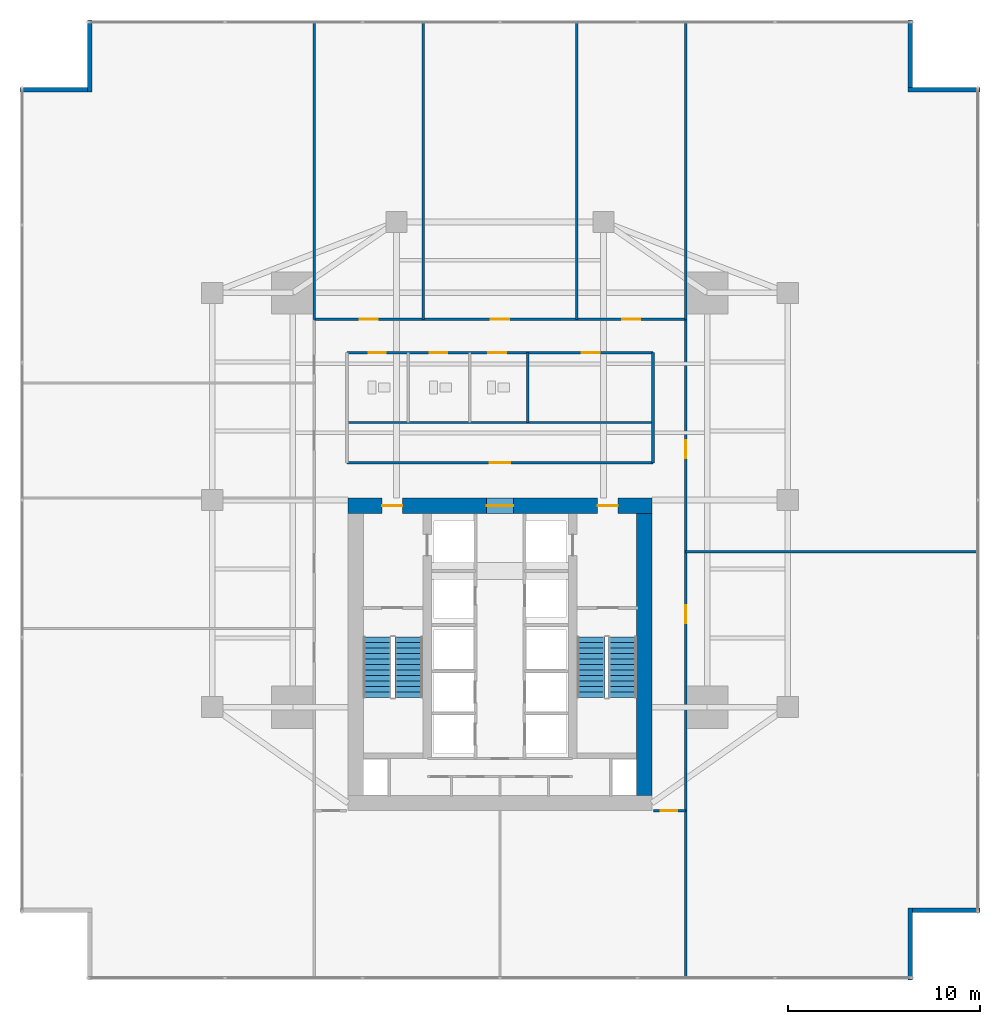
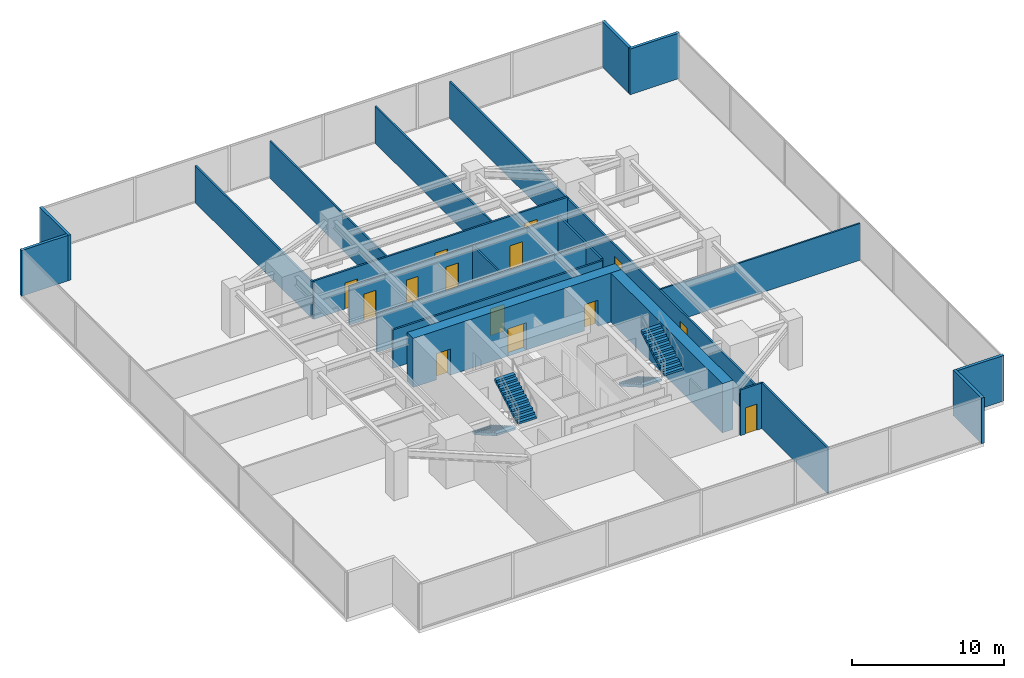
# One storey, part 26 of 28: 22 walls, 14 doors, 4 stair flights, 14 openings, 2 elements without a shape of their own.
"""IFC4 building model written with IfcOpenShell, lengths in metres."""

from ifc_helpers import new_model, si_unit, direction, frame, frame_2d, origin, place, context, subcontext, project, spatial, polyline, rectangle, outline, extrude, material, layer, layer_set, type_object, element, fill, aggregate, save


model = new_model("IFC4")

# Units and contexts
model_context = context("Model", 3, precision=1e-05, world=origin(), true_north=direction((0.0, 1.0)))
body_context = subcontext(model_context, "Body", "Model", "MODEL_VIEW")
ifc_project = project(units=[si_unit("LENGTHUNIT", "METRE"), si_unit("AREAUNIT", "SQUARE_METRE"), si_unit("VOLUMEUNIT", "CUBIC_METRE"), si_unit("PLANEANGLEUNIT", "RADIAN"), si_unit("MASSUNIT", "GRAM", prefix="KILO")], contexts=[model_context])

# Site, building, storey
site_placement = place(None, origin())
site = spatial("IfcSite", under=ifc_project, at=site_placement, CompositionType="ELEMENT")
building_placement = place(site_placement, origin())
building = spatial("IfcBuilding", under=site, at=building_placement, Name="Krantzveldt Concourse Tower", CompositionType="ELEMENT")
storey_placement = place(building_placement, frame((0.0, 0.0, 28.949951171875)))
storey = spatial("IfcBuildingStorey", under=building, at=storey_placement, Name="L06", CompositionType="ELEMENT", Elevation=28.949951171875)

# Walls
ifc_material_1 = material(Name="Anodised aluminium 6063-T6", Category="aluminium")
ifc_layer_1 = layer(ifc_material_1, 0.219970703125, Name="Anodised aluminium 6063-T6", Category="aluminium")
ifc_layer_set_1 = layer_set([ifc_layer_1], Name="Anodised aluminium 6063-T6 (WL-EXT-NOTCH220)")
wall_type_1 = type_object("IfcWallType", Name="WL-EXT-NOTCH220", PredefinedType="ELEMENTEDWALL", material=ifc_layer_set_1)
wall_1_placement = place(storey_placement, frame((14.5, 48.090087890625, 0.0), z_axis=(0.0, 0.0, 1.0), x_axis=(-1.0, 0.0, 0.0)))
element("IfcWall", 1, at=wall_1_placement, inside=storey, type_object=wall_type_1, Name="EW-L06-NCH00", PredefinedType="ELEMENTEDWALL", context=body_context, shape_type="SweptSolid", body=[
    extrude(rectangle(XDim=3.52490234375, YDim=0.219970703125, at=frame_2d((1.762451171875, 0.0))), origin(), (0.0, 0.0, 1.0), 3.670166015625),
])
wall_2_placement = place(storey_placement, frame((57.389892578125, 1.675048828125, 0.0), z_axis=(0.0, 0.0, 1.0), x_axis=(0.0, 1.0, 0.0)))
element("IfcWall", 2, at=wall_2_placement, inside=storey, type_object=wall_type_1, Name="EW-L06-NCH05", PredefinedType="ELEMENTEDWALL", context=body_context, shape_type="SweptSolid", body=[
    extrude(rectangle(XDim=3.744873046875, YDim=0.219970703125, at=frame_2d((1.87255859375, 0.0))), origin(), (0.0, 0.0, 1.0), 3.670166015625),
])
wall_3_placement = place(storey_placement, frame((57.5, 5.31005859375, 0.0), z_axis=(0.0, 0.0, 1.0), x_axis=(1.0, 0.0, 0.0)))
element("IfcWall", 3, at=wall_3_placement, inside=storey, type_object=wall_type_1, Name="EW-L06-NCH06", PredefinedType="ELEMENTEDWALL", context=body_context, shape_type="SweptSolid", body=[
    extrude(rectangle(XDim=3.52490234375, YDim=0.219970703125, at=frame_2d((1.762451171875, 0.0))), origin(), (0.0, 0.0, 1.0), 3.670166015625),
])
wall_4_placement = place(storey_placement, frame((61.02490234375, 48.090087890625, 0.0), z_axis=(0.0, 0.0, 1.0), x_axis=(-1.0, 0.0, 0.0)))
element("IfcWall", 4, at=wall_4_placement, inside=storey, type_object=wall_type_1, Name="EW-L06-NCH08", PredefinedType="ELEMENTEDWALL", context=body_context, shape_type="SweptSolid", body=[
    extrude(rectangle(XDim=3.744873046875, YDim=0.219970703125, at=frame_2d((1.87255859375, 0.0))), origin(), (0.0, 0.0, 1.0), 3.670166015625),
])
wall_5_placement = place(storey_placement, frame((57.389892578125, 48.199951171875, 0.0), z_axis=(0.0, 0.0, 1.0), x_axis=(0.0, 1.0, 0.0)))
element("IfcWall", 5, at=wall_5_placement, inside=storey, type_object=wall_type_1, Name="EW-L06-NCH09", PredefinedType="ELEMENTEDWALL", context=body_context, shape_type="SweptSolid", body=[
    extrude(rectangle(XDim=3.525146484375, YDim=0.219970703125, at=frame_2d((1.7626953125, 0.0))), origin(), (0.0, 0.0, 1.0), 3.670166015625),
])
wall_6_placement = place(storey_placement, frame((14.610107421875, 51.72509765625, 0.0), z_axis=(0.0, 0.0, 1.0), x_axis=(0.0, -1.0, 0.0)))
element("IfcWall", 6, at=wall_6_placement, inside=storey, type_object=wall_type_1, Name="EW-L06-NCH11", PredefinedType="ELEMENTEDWALL", context=body_context, shape_type="SweptSolid", body=[
    extrude(rectangle(XDim=3.7451171875, YDim=0.219970703125, at=frame_2d((1.87255859375, 0.0))), origin(), (0.0, 0.0, 1.0), 3.670166015625),
])
ifc_material_2 = material(Name="Fire-rated gypsum plasterboard on steel stud", Category="steel")
ifc_layer_2 = layer(ifc_material_2, 0.1201171875, Name="Fire-rated gypsum plasterboard on steel stud", Category="steel")
ifc_layer_set_2 = layer_set([ifc_layer_2], Name="Fire-rated gypsum plasterboard on steel stud (WL-PART-120)")
wall_type_2 = type_object("IfcWallType", Name="WL-PART-120", PredefinedType="PARTITIONING", material=ifc_layer_set_2)
wall_7_placement = place(storey_placement, frame((28.02001953125, 30.739990234375, 0.0), z_axis=(0.0, 0.0, 1.0), x_axis=(1.0, 0.0, 0.0)))
element("IfcWall", 7, at=wall_7_placement, inside=storey, type_object=wall_type_2, Name="WP-L06-ISLM", PredefinedType="PARTITIONING", context=body_context, shape_type="SweptSolid", body=[
    extrude(rectangle(XDim=15.9599609375, YDim=0.1201171875, at=frame_2d((7.97998046875, 0.0))), origin(), (0.0, 0.0, 1.0), 3.080078125),
])
wall_8_placement = place(storey_placement, frame((37.449951171875, 30.739990234375, 0.0), z_axis=(0.0, 0.0, 1.0), x_axis=(0.0, 1.0, 0.0)))
element("IfcWall", 8, at=wall_8_placement, inside=storey, type_object=wall_type_2, Name="WP-L06-WCD3", PredefinedType="PARTITIONING", context=body_context, shape_type="SweptSolid", body=[
    extrude(rectangle(XDim=3.639892578125, YDim=0.1201171875, at=frame_2d((1.81982421875, 0.0))), origin(), (0.0, 0.0, 1.0), 3.1201171875),
])
for number, where, z_axis, x_axis, name in (
    (9, (32.0, 36.1201171875, 0.0), (0.0, 0.0, 1.0), (0.0, 1.0, 0.0), "WP-L06-ND1"),
    (10, (40.0, 36.1201171875, 0.0), (0.0, 0.0, 1.0), (0.0, 1.0, 0.0), "WP-L06-ND2"),
):
    element("IfcWall", number, at=place(storey_placement, frame(where, z_axis=z_axis, x_axis=x_axis)), inside=storey, type_object=wall_type_2, Name=name, PredefinedType="PARTITIONING", context=body_context, shape_type="SweptSolid", body=[
        extrude(rectangle(XDim=15.489990234375, YDim=0.1201171875, at=frame_2d((7.7451171875, 0.0))), origin(), (0.0, 0.0, 1.0), 2.969970703125),
    ])
wall_9_placement = place(storey_placement, frame((45.679931640625, 24.0, 0.0), z_axis=(0.0, 0.0, 1.0), x_axis=(1.0, 0.0, 0.0)))
element("IfcWall", 11, at=wall_9_placement, inside=storey, type_object=wall_type_2, Name="WP-L06-ED1", PredefinedType="PARTITIONING", context=body_context, shape_type="SweptSolid", body=[
    extrude(rectangle(XDim=15.22998046875, YDim=0.1201171875, at=frame_2d((7.614990234375, 0.0))), origin(), (0.0, 0.0, 1.0), 2.969970703125),
])

# Wall, opening, door
ifc_layer_3 = layer(ifc_material_2, 0.139892578125, Name="Fire-rated gypsum plasterboard on steel stud", Category="steel")
ifc_layer_set_3 = layer_set([ifc_layer_3], Name="Fire-rated gypsum plasterboard on steel stud (WL-PART-140)")
wall_type_3 = type_object("IfcWallType", Name="WL-PART-140", PredefinedType="PARTITIONING", material=ifc_layer_set_3)
wall_10_placement = place(storey_placement, frame((28.02001953125, 28.639892578125, 0.0), z_axis=(0.0, 0.0, 1.0), x_axis=(1.0, 0.0, 0.0)))
wall_10 = element("IfcWall", 12, at=wall_10_placement, inside=storey, type_object=wall_type_3, Name="WP-L06-ISLS", PredefinedType="PARTITIONING", context=body_context, shape_type="SweptSolid", body=[
    extrude(rectangle(XDim=15.9599609375, YDim=0.139892578125, at=frame_2d((7.97998046875, 0.0))), origin(), (0.0, 0.0, 1.0), 3.080078125),
])
opening_1_placement = place(wall_10_placement, frame((7.455078125, 0.0, 0.0)))
opening_1 = element("IfcOpeningElement", 13, at=opening_1_placement, cuts=wall_10, Name="Opening D-IN105", PredefinedType="OPENING", context=body_context, shape_type="SweptSolid", body=[
    extrude(rectangle(XDim=1.050048828125, YDim=2.14990234375, at=frame_2d((0.52490234375, 1.074951171875))), frame((0.0, 0.080078125, 0.0), z_axis=(0.0, -1.0, 0.0), x_axis=(1.0, 0.0, 0.0)), (0.0, 0.0, 1.0), 0.159912109375),
])
ifc_material_3 = material(Name="Hardwood timber", Category="wood")
door_type_1 = type_object("IfcDoorType", Name="DR-INT-1050", OperationType="SINGLE_SWING_LEFT", PredefinedType="DOOR", material=ifc_material_3)
door_1_placement = place(opening_1_placement, origin())
door_1 = element("IfcDoor", 14, at=door_1_placement, inside=storey, type_object=door_type_1, Name="DR-L06-MIDB", OperationType="SINGLE_SWING_LEFT", OverallHeight=2.14990234375, OverallWidth=1.050048828125, PredefinedType="DOOR", context=body_context, shape_type="SweptSolid", body=[
    extrude(rectangle(XDim=1.050048828125, YDim=2.14990234375, at=frame_2d((0.52490234375, 1.074951171875))), frame((0.0, 0.02490234375, 0.0), z_axis=(0.0, -1.0, 0.0), x_axis=(1.0, 0.0, 0.0)), (0.0, 0.0, 1.0), 0.050048828125),
])
fill(opening_1, door_1)

# Wall, openings, doors
wall_11_placement = place(storey_placement, frame((28.02001953125, 34.3798828125, 0.0), z_axis=(0.0, 0.0, 1.0), x_axis=(1.0, 0.0, 0.0)))
wall_11 = element("IfcWall", 15, at=wall_11_placement, inside=storey, type_object=wall_type_3, Name="WP-L06-ISLN", PredefinedType="PARTITIONING", context=body_context, shape_type="SweptSolid", body=[
    extrude(rectangle(XDim=15.9599609375, YDim=0.139892578125, at=frame_2d((7.97998046875, 0.0))), origin(), (0.0, 0.0, 1.0), 3.080078125),
])
opening_2_placement = place(wall_11_placement, frame((1.1298828125, 0.0, 0.0)))
opening_2 = element("IfcOpeningElement", 16, at=opening_2_placement, cuts=wall_11, Name="Opening D-IN090", PredefinedType="OPENING", context=body_context, shape_type="SweptSolid", body=[
    extrude(rectangle(XDim=0.89990234375, YDim=2.10009765625, at=frame_2d((0.449951171875, 1.050048828125))), frame((0.0, 0.080078125, 0.0), z_axis=(0.0, -1.0, 0.0), x_axis=(1.0, 0.0, 0.0)), (0.0, 0.0, 1.0), 0.159912109375),
])
opening_3_placement = place(wall_11_placement, frame((4.330078125, 0.0, 0.0)))
opening_3 = element("IfcOpeningElement", 17, at=opening_3_placement, cuts=wall_11, Name="Opening D-IN090", PredefinedType="OPENING", context=body_context, shape_type="SweptSolid", body=[
    extrude(rectangle(XDim=0.89990234375, YDim=2.10009765625, at=frame_2d((0.449951171875, 1.050048828125))), frame((0.0, 0.080078125, 0.0), z_axis=(0.0, -1.0, 0.0), x_axis=(1.0, 0.0, 0.0)), (0.0, 0.0, 1.0), 0.159912109375),
])
opening_4_placement = place(wall_11_placement, frame((7.35498046875, 0.0, 0.0)))
opening_4 = element("IfcOpeningElement", 18, at=opening_4_placement, cuts=wall_11, Name="Opening D-IN095", PredefinedType="OPENING", context=body_context, shape_type="SweptSolid", body=[
    extrude(rectangle(XDim=0.949951171875, YDim=2.10009765625, at=frame_2d((0.47509765625, 1.050048828125))), frame((0.0, 0.080078125, 0.0), z_axis=(0.0, -1.0, 0.0), x_axis=(1.0, 0.0, 0.0)), (0.0, 0.0, 1.0), 0.159912109375),
])
opening_5_placement = place(wall_11_placement, frame((12.22998046875, 0.0, 0.0)))
opening_5 = element("IfcOpeningElement", 19, at=opening_5_placement, cuts=wall_11, Name="Opening D-IN095", PredefinedType="OPENING", context=body_context, shape_type="SweptSolid", body=[
    extrude(rectangle(XDim=0.949951171875, YDim=2.10009765625, at=frame_2d((0.47509765625, 1.050048828125))), frame((0.0, 0.080078125, 0.0), z_axis=(0.0, -1.0, 0.0), x_axis=(1.0, 0.0, 0.0)), (0.0, 0.0, 1.0), 0.159912109375),
])
door_type_2 = type_object("IfcDoorType", Name="DR-INT-900", OperationType="SINGLE_SWING_LEFT", PredefinedType="DOOR", material=ifc_material_3)
door_2_placement = place(opening_2_placement, origin())
door_2 = element("IfcDoor", 20, at=door_2_placement, inside=storey, type_object=door_type_2, Name="DR-L06-WCM", OperationType="SINGLE_SWING_LEFT", OverallHeight=2.10009765625, OverallWidth=0.89990234375, PredefinedType="DOOR", context=body_context, shape_type="SweptSolid", body=[
    extrude(rectangle(XDim=0.89990234375, YDim=2.10009765625, at=frame_2d((0.449951171875, 1.050048828125))), frame((0.0, 0.02490234375, 0.0), z_axis=(0.0, -1.0, 0.0), x_axis=(1.0, 0.0, 0.0)), (0.0, 0.0, 1.0), 0.050048828125),
])
fill(opening_2, door_2)
door_3_placement = place(opening_3_placement, origin())
door_3 = element("IfcDoor", 21, at=door_3_placement, inside=storey, type_object=door_type_2, Name="DR-L06-WCF", OperationType="SINGLE_SWING_RIGHT", OverallHeight=2.10009765625, OverallWidth=0.89990234375, PredefinedType="DOOR", context=body_context, shape_type="SweptSolid", body=[
    extrude(rectangle(XDim=0.89990234375, YDim=2.10009765625, at=frame_2d((0.449951171875, 1.050048828125))), frame((0.0, 0.02490234375, 0.0), z_axis=(0.0, -1.0, 0.0), x_axis=(1.0, 0.0, 0.0)), (0.0, 0.0, 1.0), 0.050048828125),
])
fill(opening_3, door_3)
door_type_3 = type_object("IfcDoorType", Name="DR-INT-950", OperationType="SINGLE_SWING_LEFT", PredefinedType="DOOR", material=ifc_material_3)
door_4_placement = place(opening_4_placement, origin())
door_4 = element("IfcDoor", 22, at=door_4_placement, inside=storey, type_object=door_type_3, Name="DR-L06-WCA", OperationType="SINGLE_SWING_LEFT", OverallHeight=2.10009765625, OverallWidth=0.949951171875, PredefinedType="DOOR", context=body_context, shape_type="SweptSolid", body=[
    extrude(rectangle(XDim=0.949951171875, YDim=2.10009765625, at=frame_2d((0.47509765625, 1.050048828125))), frame((0.0, 0.02490234375, 0.0), z_axis=(0.0, -1.0, 0.0), x_axis=(1.0, 0.0, 0.0)), (0.0, 0.0, 1.0), 0.050048828125),
])
fill(opening_4, door_4)
door_5_placement = place(opening_5_placement, origin())
door_5 = element("IfcDoor", 23, at=door_5_placement, inside=storey, type_object=door_type_3, Name="DR-L06-PNT", OperationType="SINGLE_SWING_RIGHT", OverallHeight=2.10009765625, OverallWidth=0.949951171875, PredefinedType="DOOR", context=body_context, shape_type="SweptSolid", body=[
    extrude(rectangle(XDim=0.949951171875, YDim=2.10009765625, at=frame_2d((0.47509765625, 1.050048828125))), frame((0.0, 0.02490234375, 0.0), z_axis=(0.0, -1.0, 0.0), x_axis=(1.0, 0.0, 0.0)), (0.0, 0.0, 1.0), 0.050048828125),
])
fill(opening_5, door_5)

# Wall
wall_12_placement = place(storey_placement, frame((43.97998046875, 28.639892578125, 0.0), z_axis=(0.0, 0.0, 1.0), x_axis=(0.0, 1.0, 0.0)))
element("IfcWall", 24, at=wall_12_placement, inside=storey, type_object=wall_type_3, Name="WP-L06-ISLE", PredefinedType="PARTITIONING", context=body_context, shape_type="SweptSolid", body=[
    extrude(rectangle(XDim=5.739990234375, YDim=0.139892578125, at=frame_2d((2.8701171875, 0.0))), origin(), (0.0, 0.0, 1.0), 3.219970703125),
])

# Wall, openings, doors
wall_13_placement = place(storey_placement, frame((26.320068359375, 36.1201171875, 0.0), z_axis=(0.0, 0.0, 1.0), x_axis=(1.0, 0.0, 0.0)))
wall_13 = element("IfcWall", 25, at=wall_13_placement, inside=storey, type_object=wall_type_3, Name="WP-L06-CTOP", PredefinedType="PARTITIONING", context=body_context, shape_type="SweptSolid", body=[
    extrude(rectangle(XDim=19.35986328125, YDim=0.139892578125, at=frame_2d((9.679931640625, 0.0))), origin(), (0.0, 0.0, 1.0), 3.080078125),
])
opening_6_placement = place(wall_13_placement, frame((2.364990234375, 0.0, 0.0)))
opening_6 = element("IfcOpeningElement", 26, at=opening_6_placement, cuts=wall_13, Name="Opening D-IN095", PredefinedType="OPENING", context=body_context, shape_type="SweptSolid", body=[
    extrude(rectangle(XDim=0.949951171875, YDim=2.10009765625, at=frame_2d((0.47509765625, 1.050048828125))), frame((0.0, 0.080078125, 0.0), z_axis=(0.0, -1.0, 0.0), x_axis=(1.0, 0.0, 0.0)), (0.0, 0.0, 1.0), 0.159912109375),
])
opening_7_placement = place(wall_13_placement, frame((9.205078125, 0.0, 0.0)))
opening_7 = element("IfcOpeningElement", 27, at=opening_7_placement, cuts=wall_13, Name="Opening D-IN095", PredefinedType="OPENING", context=body_context, shape_type="SweptSolid", body=[
    extrude(rectangle(XDim=0.949951171875, YDim=2.10009765625, at=frame_2d((0.47509765625, 1.050048828125))), frame((0.0, 0.080078125, 0.0), z_axis=(0.0, -1.0, 0.0), x_axis=(1.0, 0.0, 0.0)), (0.0, 0.0, 1.0), 0.159912109375),
])
opening_8_placement = place(wall_13_placement, frame((16.044921875, 0.0, 0.0)))
opening_8 = element("IfcOpeningElement", 28, at=opening_8_placement, cuts=wall_13, Name="Opening D-IN095", PredefinedType="OPENING", context=body_context, shape_type="SweptSolid", body=[
    extrude(rectangle(XDim=0.949951171875, YDim=2.10009765625, at=frame_2d((0.47509765625, 1.050048828125))), frame((0.0, 0.080078125, 0.0), z_axis=(0.0, -1.0, 0.0), x_axis=(1.0, 0.0, 0.0)), (0.0, 0.0, 1.0), 0.159912109375),
])
door_6_placement = place(opening_6_placement, origin())
door_6 = element("IfcDoor", 29, at=door_6_placement, inside=storey, type_object=door_type_3, Name="DR-L06-NR1", OperationType="SINGLE_SWING_LEFT", OverallHeight=2.10009765625, OverallWidth=0.949951171875, PredefinedType="DOOR", context=body_context, shape_type="SweptSolid", body=[
    extrude(rectangle(XDim=0.949951171875, YDim=2.10009765625, at=frame_2d((0.47509765625, 1.050048828125))), frame((0.0, 0.02490234375, 0.0), z_axis=(0.0, -1.0, 0.0), x_axis=(1.0, 0.0, 0.0)), (0.0, 0.0, 1.0), 0.050048828125),
])
fill(opening_6, door_6)
door_7_placement = place(opening_7_placement, origin())
door_7 = element("IfcDoor", 30, at=door_7_placement, inside=storey, type_object=door_type_3, Name="DR-L06-NR2", OperationType="SINGLE_SWING_LEFT", OverallHeight=2.10009765625, OverallWidth=0.949951171875, PredefinedType="DOOR", context=body_context, shape_type="SweptSolid", body=[
    extrude(rectangle(XDim=0.949951171875, YDim=2.10009765625, at=frame_2d((0.47509765625, 1.050048828125))), frame((0.0, 0.02490234375, 0.0), z_axis=(0.0, -1.0, 0.0), x_axis=(1.0, 0.0, 0.0)), (0.0, 0.0, 1.0), 0.050048828125),
])
fill(opening_7, door_7)
door_8_placement = place(opening_8_placement, origin())
door_8 = element("IfcDoor", 31, at=door_8_placement, inside=storey, type_object=door_type_3, Name="DR-L06-NR3", OperationType="SINGLE_SWING_LEFT", OverallHeight=2.10009765625, OverallWidth=0.949951171875, PredefinedType="DOOR", context=body_context, shape_type="SweptSolid", body=[
    extrude(rectangle(XDim=0.949951171875, YDim=2.10009765625, at=frame_2d((0.47509765625, 1.050048828125))), frame((0.0, 0.02490234375, 0.0), z_axis=(0.0, -1.0, 0.0), x_axis=(1.0, 0.0, 0.0)), (0.0, 0.0, 1.0), 0.050048828125),
])
fill(opening_8, door_8)

wall_14_placement = place(storey_placement, frame((45.679931640625, 10.5, 0.0), z_axis=(0.0, 0.0, 1.0), x_axis=(0.0, 1.0, 0.0)))
wall_14 = element("IfcWall", 32, at=wall_14_placement, inside=storey, type_object=wall_type_3, Name="WP-L06-CEAST", PredefinedType="PARTITIONING", context=body_context, shape_type="SweptSolid", body=[
    extrude(rectangle(XDim=25.6201171875, YDim=0.139892578125, at=frame_2d((12.81005859375, 0.0))), origin(), (0.0, 0.0, 1.0), 2.969970703125),
])
opening_9_placement = place(wall_14_placement, frame((9.77490234375, 0.0, 0.0)))
opening_9 = element("IfcOpeningElement", 33, at=opening_9_placement, cuts=wall_14, Name="Opening D-IN095", PredefinedType="OPENING", context=body_context, shape_type="SweptSolid", body=[
    extrude(rectangle(XDim=0.949951171875, YDim=2.10009765625, at=frame_2d((0.47509765625, 1.050048828125))), frame((0.0, 0.080078125, 0.0), z_axis=(0.0, -1.0, 0.0), x_axis=(1.0, 0.0, 0.0)), (0.0, 0.0, 1.0), 0.159912109375),
])
opening_10_placement = place(wall_14_placement, frame((18.375, 0.0, 0.0)))
opening_10 = element("IfcOpeningElement", 34, at=opening_10_placement, cuts=wall_14, Name="Opening D-IN095", PredefinedType="OPENING", context=body_context, shape_type="SweptSolid", body=[
    extrude(rectangle(XDim=0.949951171875, YDim=2.10009765625, at=frame_2d((0.47509765625, 1.050048828125))), frame((0.0, 0.080078125, 0.0), z_axis=(0.0, -1.0, 0.0), x_axis=(1.0, 0.0, 0.0)), (0.0, 0.0, 1.0), 0.159912109375),
])
door_9_placement = place(opening_9_placement, origin())
door_9 = element("IfcDoor", 35, at=door_9_placement, inside=storey, type_object=door_type_3, Name="DR-L06-ER1", OperationType="SINGLE_SWING_LEFT", OverallHeight=2.10009765625, OverallWidth=0.949951171875, PredefinedType="DOOR", context=body_context, shape_type="SweptSolid", body=[
    extrude(rectangle(XDim=0.949951171875, YDim=2.10009765625, at=frame_2d((0.47509765625, 1.050048828125))), frame((0.0, 0.02490234375, 0.0), z_axis=(0.0, -1.0, 0.0), x_axis=(1.0, 0.0, 0.0)), (0.0, 0.0, 1.0), 0.050048828125),
])
fill(opening_9, door_9)
door_10_placement = place(opening_10_placement, origin())
door_10 = element("IfcDoor", 36, at=door_10_placement, inside=storey, type_object=door_type_3, Name="DR-L06-ER2", OperationType="SINGLE_SWING_LEFT", OverallHeight=2.10009765625, OverallWidth=0.949951171875, PredefinedType="DOOR", context=body_context, shape_type="SweptSolid", body=[
    extrude(rectangle(XDim=0.949951171875, YDim=2.10009765625, at=frame_2d((0.47509765625, 1.050048828125))), frame((0.0, 0.02490234375, 0.0), z_axis=(0.0, -1.0, 0.0), x_axis=(1.0, 0.0, 0.0)), (0.0, 0.0, 1.0), 0.050048828125),
])
fill(opening_10, door_10)

# Wall, opening, door
wall_15_placement = place(storey_placement, frame((44.0, 10.5, 0.0), z_axis=(0.0, 0.0, 1.0), x_axis=(1.0, 0.0, 0.0)))
wall_15 = element("IfcWall", 37, at=wall_15_placement, inside=storey, type_object=wall_type_3, Name="WP-L06-CEBOT", PredefinedType="PARTITIONING", context=body_context, shape_type="SweptSolid", body=[
    extrude(rectangle(XDim=1.679931640625, YDim=0.139892578125, at=frame_2d((0.83984375, 0.0))), origin(), (0.0, 0.0, 1.0), 3.670166015625),
])
opening_11_placement = place(wall_15_placement, frame((0.385009765625, 0.0, 0.0)))
opening_11 = element("IfcOpeningElement", 38, at=opening_11_placement, cuts=wall_15, Name="Opening D-IN085", PredefinedType="OPENING", context=body_context, shape_type="SweptSolid", body=[
    extrude(rectangle(XDim=0.85009765625, YDim=2.10009765625, at=frame_2d((0.425048828125, 1.050048828125))), frame((0.0, 0.080078125, 0.0), z_axis=(0.0, -1.0, 0.0), x_axis=(1.0, 0.0, 0.0)), (0.0, 0.0, 1.0), 0.159912109375),
])
door_type_4 = type_object("IfcDoorType", Name="DR-INT-850", OperationType="SINGLE_SWING_LEFT", PredefinedType="DOOR", material=ifc_material_3)
door_11_placement = place(opening_11_placement, origin())
door_11 = element("IfcDoor", 39, at=door_11_placement, inside=storey, type_object=door_type_4, Name="DR-L06-SR2", OperationType="SINGLE_SWING_LEFT", OverallHeight=2.10009765625, OverallWidth=0.85009765625, PredefinedType="DOOR", context=body_context, shape_type="SweptSolid", body=[
    extrude(rectangle(XDim=0.85009765625, YDim=2.10009765625, at=frame_2d((0.425048828125, 1.050048828125))), frame((0.0, 0.02490234375, 0.0), z_axis=(0.0, -1.0, 0.0), x_axis=(1.0, 0.0, 0.0)), (0.0, 0.0, 1.0), 0.050048828125),
])
fill(opening_11, door_11)

# Walls
for number, where, z_axis, x_axis, name in (
    (40, (26.320068359375, 36.1201171875, 0.0), (0.0, 0.0, 1.0), (0.0, 1.0, 0.0), "WP-L06-NWL"),
    (41, (45.679931640625, 36.1201171875, 0.0), (0.0, 0.0, 1.0), (0.0, 1.0, 0.0), "WP-L06-NER"),
):
    element("IfcWall", number, at=place(storey_placement, frame(where, z_axis=z_axis, x_axis=x_axis)), inside=storey, type_object=wall_type_3, Name=name, PredefinedType="PARTITIONING", context=body_context, shape_type="SweptSolid", body=[
        extrude(rectangle(XDim=15.489990234375, YDim=0.139892578125, at=frame_2d((7.7451171875, 0.0))), origin(), (0.0, 0.0, 1.0), 2.969970703125),
    ])
wall_16_placement = place(storey_placement, frame((45.679931640625, 1.7900390625, 0.0), z_axis=(0.0, 0.0, 1.0), x_axis=(0.0, 1.0, 0.0)))
element("IfcWall", 42, at=wall_16_placement, inside=storey, type_object=wall_type_3, Name="WP-L06-SER", PredefinedType="PARTITIONING", context=body_context, shape_type="SweptSolid", body=[
    extrude(rectangle(XDim=8.7099609375, YDim=0.139892578125, at=frame_2d((4.35498046875, 0.0))), origin(), (0.0, 0.0, 1.0), 3.670166015625),
])

# Wall, openings, doors
ifc_material_4 = material(Name="Concrete C60/75", Category="concrete")
ifc_layer_4 = layer(ifc_material_4, 0.800048828125, Name="Concrete C60/75", Category="concrete")
ifc_layer_set_4 = layer_set([ifc_layer_4], Name="Concrete C60/75 (WL-SHEAR-800)")
wall_type_4 = type_object("IfcWallType", Name="WL-SHEAR-800", PredefinedType="SHEAR", material=ifc_layer_set_4)
wall_17_placement = place(storey_placement, frame((28.080078125, 26.39990234375, 0.0), z_axis=(0.0, 0.0, 1.0), x_axis=(1.0, 0.0, 0.0)))
wall_17 = element("IfcWall", 43, at=wall_17_placement, inside=storey, type_object=wall_type_4, Name="CW-L06-N", PredefinedType="SHEAR", context=body_context, shape_type="SweptSolid", body=[
    extrude(rectangle(XDim=15.83984375, YDim=0.800048828125, at=frame_2d((7.919921875, 0.0))), origin(), (0.0, 0.0, 1.0), 3.949951171875),
])
opening_12_placement = place(wall_17_placement, frame((7.219970703125, 0.0, 0.0)))
opening_12 = element("IfcOpeningElement", 44, at=opening_12_placement, cuts=wall_17, Name="Opening D-DB140", PredefinedType="OPENING", context=body_context, shape_type="SweptSolid", body=[
    extrude(rectangle(XDim=1.39990234375, YDim=2.199951171875, at=frame_2d((0.699951171875, 1.10009765625))), frame((0.0, 0.41015625, 0.0), z_axis=(0.0, -1.0, 0.0), x_axis=(1.0, 0.0, 0.0)), (0.0, 0.0, 1.0), 0.820068359375),
])
opening_13_placement = place(wall_17_placement, frame((1.77490234375, 0.0, 0.0)))
opening_13 = element("IfcOpeningElement", 45, at=opening_13_placement, cuts=wall_17, Name="Opening D-FD105", PredefinedType="OPENING", context=body_context, shape_type="SweptSolid", body=[
    extrude(rectangle(XDim=1.050048828125, YDim=2.10009765625, at=frame_2d((0.52490234375, 1.050048828125))), frame((0.0, 0.41015625, 0.0), z_axis=(0.0, -1.0, 0.0), x_axis=(1.0, 0.0, 0.0)), (0.0, 0.0, 1.0), 0.820068359375),
])
opening_14_placement = place(wall_17_placement, frame((13.014892578125, 0.0, 0.0)))
opening_14 = element("IfcOpeningElement", 46, at=opening_14_placement, cuts=wall_17, Name="Opening D-FD105", PredefinedType="OPENING", context=body_context, shape_type="SweptSolid", body=[
    extrude(rectangle(XDim=1.050048828125, YDim=2.10009765625, at=frame_2d((0.52490234375, 1.050048828125))), frame((0.0, 0.41015625, 0.0), z_axis=(0.0, -1.0, 0.0), x_axis=(1.0, 0.0, 0.0)), (0.0, 0.0, 1.0), 0.820068359375),
])
door_type_5 = type_object("IfcDoorType", Name="DR-DBL-1400", OperationType="DOUBLE_DOOR_SINGLE_SWING", PredefinedType="DOOR", material=ifc_material_1)
door_12_placement = place(opening_12_placement, origin())
door_12 = element("IfcDoor", 47, at=door_12_placement, inside=storey, type_object=door_type_5, Name="DR-L06-LLB", OperationType="DOUBLE_DOOR_SINGLE_SWING", OverallHeight=2.199951171875, OverallWidth=1.39990234375, PredefinedType="DOOR", context=body_context, shape_type="SweptSolid", body=[
    extrude(rectangle(XDim=1.39990234375, YDim=2.199951171875, at=frame_2d((0.699951171875, 1.10009765625))), frame((0.0, 0.02490234375, 0.0), z_axis=(0.0, -1.0, 0.0), x_axis=(1.0, 0.0, 0.0)), (0.0, 0.0, 1.0), 0.050048828125),
])
fill(opening_12, door_12)
ifc_material_5 = material(Name="Galvanised steel", Category="steel")
door_type_6 = type_object("IfcDoorType", Name="DR-FD120-1050", OperationType="SINGLE_SWING_LEFT", PredefinedType="DOOR", material=ifc_material_5)
door_13_placement = place(opening_13_placement, origin())
door_13 = element("IfcDoor", 48, at=door_13_placement, inside=storey, type_object=door_type_6, Name="DR-L06-FFL1", OperationType="SINGLE_SWING_LEFT", OverallHeight=2.10009765625, OverallWidth=1.050048828125, PredefinedType="DOOR", context=body_context, shape_type="SweptSolid", body=[
    extrude(rectangle(XDim=1.050048828125, YDim=2.10009765625, at=frame_2d((0.52490234375, 1.050048828125))), frame((0.0, 0.02490234375, 0.0), z_axis=(0.0, -1.0, 0.0), x_axis=(1.0, 0.0, 0.0)), (0.0, 0.0, 1.0), 0.050048828125),
])
fill(opening_13, door_13)
door_14_placement = place(opening_14_placement, origin())
door_14 = element("IfcDoor", 49, at=door_14_placement, inside=storey, type_object=door_type_6, Name="DR-L06-FFL2", OperationType="SINGLE_SWING_RIGHT", OverallHeight=2.10009765625, OverallWidth=1.050048828125, PredefinedType="DOOR", context=body_context, shape_type="SweptSolid", body=[
    extrude(rectangle(XDim=1.050048828125, YDim=2.10009765625, at=frame_2d((0.52490234375, 1.050048828125))), frame((0.0, 0.02490234375, 0.0), z_axis=(0.0, -1.0, 0.0), x_axis=(1.0, 0.0, 0.0)), (0.0, 0.0, 1.0), 0.050048828125),
])
fill(opening_14, door_14)

# Wall
wall_18_placement = place(storey_placement, frame((43.52001953125, 11.300048828125, 0.0), z_axis=(0.0, 0.0, 1.0), x_axis=(0.0, 1.0, 0.0)))
element("IfcWall", 50, at=wall_18_placement, inside=storey, type_object=wall_type_4, Name="CW-L06-E", PredefinedType="SHEAR", context=body_context, shape_type="SweptSolid", body=[
    extrude(rectangle(XDim=14.699951171875, YDim=0.800048828125, at=frame_2d((7.35009765625, 0.0))), origin(), (0.0, 0.0, 1.0), 3.949951171875),
])

# Stair, stair flights
ifc_material_6 = material(Name="Precast concrete C40/50", Category="concrete")
stair_type = type_object("IfcStairType", Name="STR-CORE-DOGLEG", PredefinedType="HALF_TURN_STAIR", material=ifc_material_6)
stair_1_placement = place(storey_placement, origin())
stair_1 = element("IfcStair", 51, at=stair_1_placement, inside=storey, type_object=stair_type, Name="L06 Protected Escape Stair ST-1", PredefinedType="HALF_TURN_STAIR")
stair_flight_type = type_object("IfcStairFlightType", Name="STF-CORE-1450", PredefinedType="STRAIGHT", material=ifc_material_6)
stair_flight_1_placement = place(storey_placement, frame((29.60498046875, 19.550048828125, 0.0), z_axis=(0.0, 0.0, 1.0), x_axis=(0.0, -1.0, 0.0)))
stair_flight_1 = element("IfcStairFlight", 52, at=stair_flight_1_placement, type_object=stair_flight_type, Name="ST-1 flight 1", NumberOfRisers=12, NumberOfTreads=11, PredefinedType="STRAIGHT", RiserHeight=0.164583333, TreadLength=0.285, context=body_context, shape_type="SweptSolid", body=[
    extrude(outline(polyline([(0.0, 0.0), (0.0, 0.16455078125), (0.284912109375, 0.16455078125), (0.284912109375, 0.3291015625), (0.570068359375, 0.3291015625), (0.570068359375, 0.49365234375), (0.85498046875, 0.49365234375), (0.85498046875, 0.658447265625), (1.139892578125, 0.658447265625), (1.139892578125, 0.822998046875), (1.425048828125, 0.822998046875), (1.425048828125, 0.987548828125), (1.7099609375, 0.987548828125), (1.7099609375, 1.152099609375), (1.9951171875, 1.152099609375), (1.9951171875, 1.316650390625), (2.280029296875, 1.316650390625), (2.280029296875, 1.481201171875), (2.56494140625, 1.481201171875), (2.56494140625, 1.645751953125), (2.85009765625, 1.645751953125), (2.85009765625, 1.810302734375), (3.135009765625, 1.810302734375), (3.135009765625, 1.97509765625), (3.135009765625, 1.63720703125), (0.2998046875, 0.0), (0.0, 0.0)])), frame((0.0, 0.72509765625, 0.0), z_axis=(0.0, -1.0, 0.0), x_axis=(1.0, 0.0, 0.0)), (0.0, 0.0, 1.0), 1.449951171875),
])
stair_flight_2_placement = place(storey_placement, frame((31.2548828125, 16.4150390625, 1.97509765625), z_axis=(0.0, 0.0, 1.0), x_axis=(0.0, 1.0, 0.0)))
stair_flight_2 = element("IfcStairFlight", 53, at=stair_flight_2_placement, type_object=stair_flight_type, Name="ST-1 flight 2", NumberOfRisers=12, NumberOfTreads=11, PredefinedType="STRAIGHT", RiserHeight=0.164583333, TreadLength=0.285, context=body_context, shape_type="SweptSolid", body=[
    extrude(outline(polyline([(0.0, 0.0), (0.0, 0.16455078125), (0.284912109375, 0.16455078125), (0.284912109375, 0.3291015625), (0.570068359375, 0.3291015625), (0.570068359375, 0.49365234375), (0.85498046875, 0.49365234375), (0.85498046875, 0.658447265625), (1.139892578125, 0.658447265625), (1.139892578125, 0.822998046875), (1.425048828125, 0.822998046875), (1.425048828125, 0.987548828125), (1.7099609375, 0.987548828125), (1.7099609375, 1.152099609375), (1.9951171875, 1.152099609375), (1.9951171875, 1.316650390625), (2.280029296875, 1.316650390625), (2.280029296875, 1.481201171875), (2.56494140625, 1.481201171875), (2.56494140625, 1.645751953125), (2.85009765625, 1.645751953125), (2.85009765625, 1.810302734375), (3.135009765625, 1.810302734375), (3.135009765625, 1.97509765625), (3.135009765625, 1.63720703125), (0.2998046875, 0.0), (0.0, 0.0)])), frame((0.0, 0.72509765625, 0.0), z_axis=(0.0, -1.0, 0.0), x_axis=(1.0, 0.0, 0.0)), (0.0, 0.0, 1.0), 1.449951171875),
])
aggregate(stair_1, [stair_flight_1, stair_flight_2])

stair_2_placement = place(storey_placement, origin())
stair_2 = element("IfcStair", 54, at=stair_2_placement, inside=storey, type_object=stair_type, Name="L06 Protected Escape Stair ST-2", PredefinedType="HALF_TURN_STAIR")
stair_flight_3_placement = place(storey_placement, frame((40.7451171875, 19.550048828125, 0.0), z_axis=(0.0, 0.0, 1.0), x_axis=(0.0, -1.0, 0.0)))
stair_flight_3 = element("IfcStairFlight", 55, at=stair_flight_3_placement, type_object=stair_flight_type, Name="ST-2 flight 1", NumberOfRisers=12, NumberOfTreads=11, PredefinedType="STRAIGHT", RiserHeight=0.164583333, TreadLength=0.285, context=body_context, shape_type="SweptSolid", body=[
    extrude(outline(polyline([(0.0, 0.0), (0.0, 0.16455078125), (0.284912109375, 0.16455078125), (0.284912109375, 0.3291015625), (0.570068359375, 0.3291015625), (0.570068359375, 0.49365234375), (0.85498046875, 0.49365234375), (0.85498046875, 0.658447265625), (1.139892578125, 0.658447265625), (1.139892578125, 0.822998046875), (1.425048828125, 0.822998046875), (1.425048828125, 0.987548828125), (1.7099609375, 0.987548828125), (1.7099609375, 1.152099609375), (1.9951171875, 1.152099609375), (1.9951171875, 1.316650390625), (2.280029296875, 1.316650390625), (2.280029296875, 1.481201171875), (2.56494140625, 1.481201171875), (2.56494140625, 1.645751953125), (2.85009765625, 1.645751953125), (2.85009765625, 1.810302734375), (3.135009765625, 1.810302734375), (3.135009765625, 1.97509765625), (3.135009765625, 1.63720703125), (0.2998046875, 0.0), (0.0, 0.0)])), frame((0.0, 0.72509765625, 0.0), z_axis=(0.0, -1.0, 0.0), x_axis=(1.0, 0.0, 0.0)), (0.0, 0.0, 1.0), 1.449951171875),
])
stair_flight_4_placement = place(storey_placement, frame((42.39501953125, 16.4150390625, 1.97509765625), z_axis=(0.0, 0.0, 1.0), x_axis=(0.0, 1.0, 0.0)))
stair_flight_4 = element("IfcStairFlight", 56, at=stair_flight_4_placement, type_object=stair_flight_type, Name="ST-2 flight 2", NumberOfRisers=12, NumberOfTreads=11, PredefinedType="STRAIGHT", RiserHeight=0.164583333, TreadLength=0.285, context=body_context, shape_type="SweptSolid", body=[
    extrude(outline(polyline([(0.0, 0.0), (0.0, 0.16455078125), (0.284912109375, 0.16455078125), (0.284912109375, 0.3291015625), (0.570068359375, 0.3291015625), (0.570068359375, 0.49365234375), (0.85498046875, 0.49365234375), (0.85498046875, 0.658447265625), (1.139892578125, 0.658447265625), (1.139892578125, 0.822998046875), (1.425048828125, 0.822998046875), (1.425048828125, 0.987548828125), (1.7099609375, 0.987548828125), (1.7099609375, 1.152099609375), (1.9951171875, 1.152099609375), (1.9951171875, 1.316650390625), (2.280029296875, 1.316650390625), (2.280029296875, 1.481201171875), (2.56494140625, 1.481201171875), (2.56494140625, 1.645751953125), (2.85009765625, 1.645751953125), (2.85009765625, 1.810302734375), (3.135009765625, 1.810302734375), (3.135009765625, 1.97509765625), (3.135009765625, 1.63720703125), (0.2998046875, 0.0), (0.0, 0.0)])), frame((0.0, 0.72509765625, 0.0), z_axis=(0.0, -1.0, 0.0), x_axis=(1.0, 0.0, 0.0)), (0.0, 0.0, 1.0), 1.449951171875),
])
aggregate(stair_2, [stair_flight_3, stair_flight_4])

save(model, "model.ifc")
